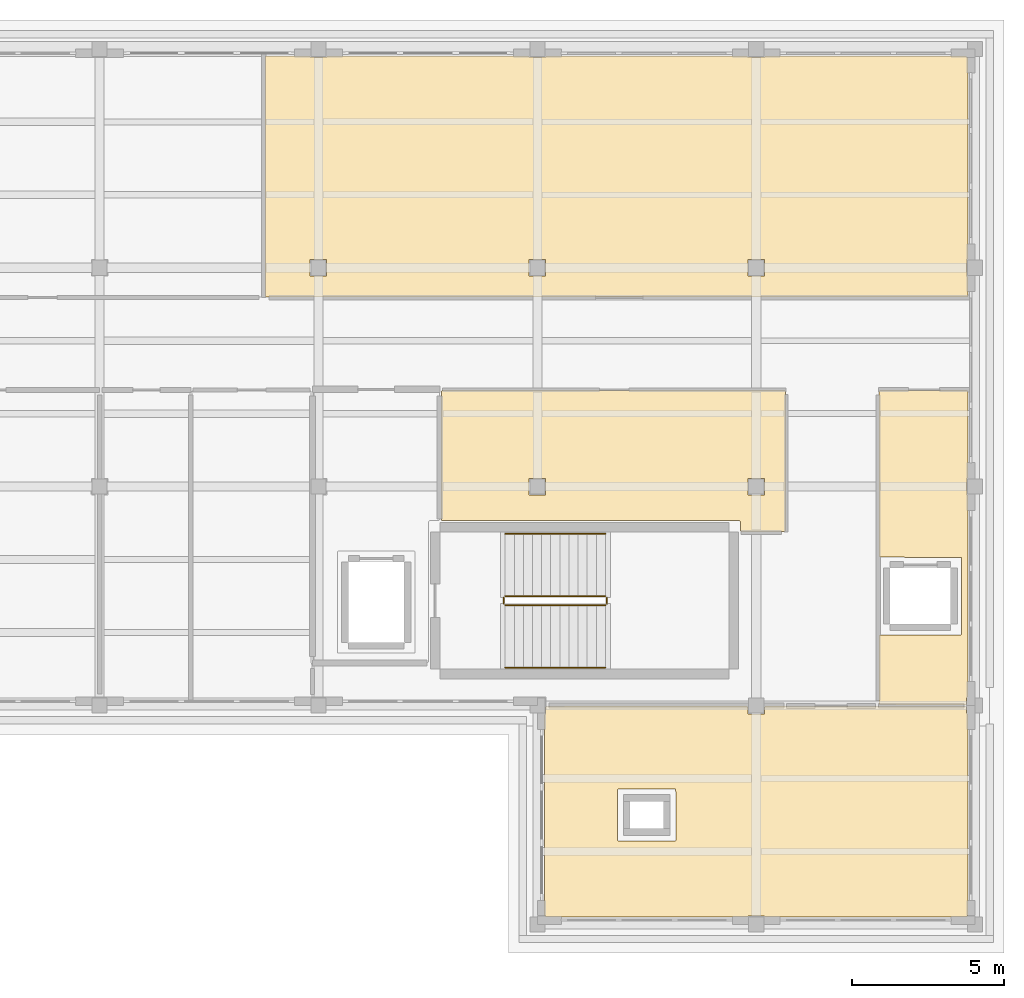
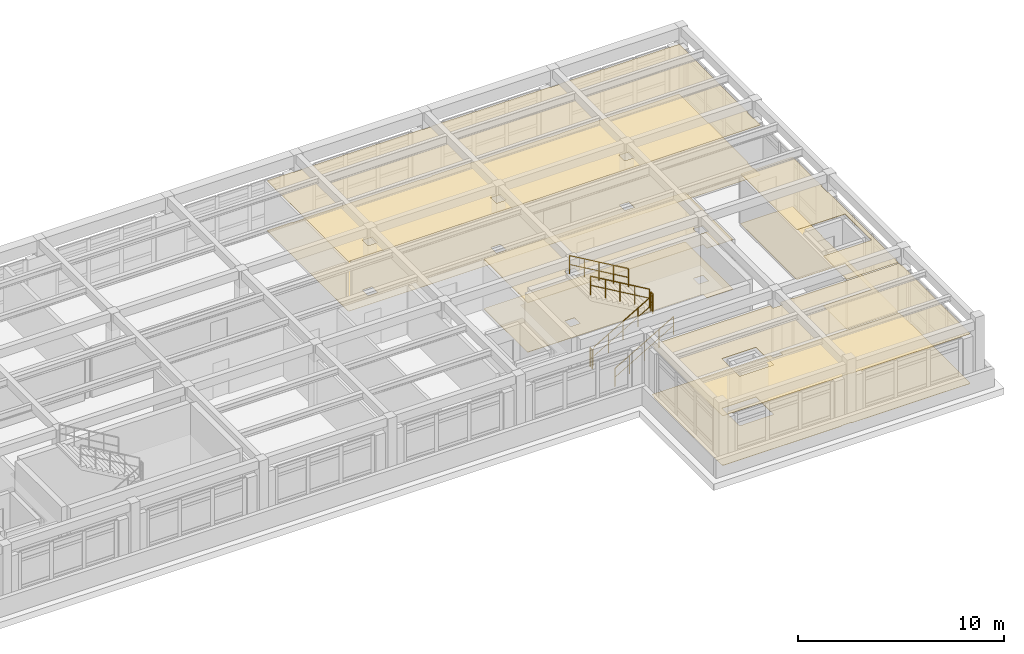
# One storey, part 18 of 18: 8 coverings, 6 railings.
"""IFC4 building model written with IfcOpenShell, lengths in metres."""

from ifc_helpers import new_model, si_unit, direction, frame, origin, origin_2d, place, context, subcontext, project, spatial, polyline, circle, outline, extrude, material, layer, layer_set, type_object, element, save


model = new_model("IFC4")

# Units and contexts
model_context = context("Model", 3, precision=1e-05, world=origin(), true_north=direction((0.0, 1.0)))
body_context = subcontext(model_context, "Body", "Model", "MODEL_VIEW")
ifc_project = project(units=[si_unit("LENGTHUNIT", "METRE"), si_unit("AREAUNIT", "SQUARE_METRE"), si_unit("VOLUMEUNIT", "CUBIC_METRE"), si_unit("PLANEANGLEUNIT", "RADIAN"), si_unit("MASSUNIT", "GRAM", prefix="KILO")], contexts=[model_context])

# Site, building, storey
site_placement = place(None, origin())
site = spatial("IfcSite", under=ifc_project, at=site_placement, CompositionType="ELEMENT")
building_placement = place(site_placement, origin())
building = spatial("IfcBuilding", under=site, at=building_placement, Name="Solenvale Faculty of Natural Sciences", CompositionType="ELEMENT")
storey_placement = place(building_placement, frame((0.0, 0.0, 43.800048828125)))
storey = spatial("IfcBuildingStorey", under=building, at=storey_placement, Name="L10", CompositionType="ELEMENT", Elevation=43.800048828125)

# Coverings
ifc_material_1 = material(Name="Acoustic mineral-timber ceiling", Category="wood")
ifc_layer_1 = layer(ifc_material_1, 0.02490234375)
ifc_layer_set_1 = layer_set([ifc_layer_1], Name="Acoustic mineral-timber ceiling")
covering_type_1 = type_object("IfcCoveringType", Name="COV-CEIL-AC25", PredefinedType="CEILING", material=ifc_layer_set_1)
covering_1_placement = place(storey_placement, frame((0.0, 0.0, 2.93505859375)))
element("IfcCovering", 1, at=covering_1_placement, inside=storey, type_object=covering_type_1, Name="L10 Preparative Organic Chemistry Laboratory Acoustic Ceiling", PredefinedType="CEILING", context=body_context, shape_type="SweptSolid", body=[
    extrude(outline(polyline([(129.294921875, 114.9599609375), (129.3359375, 114.925048828125), (129.865966796875, 114.925048828125), (129.905029296875, 114.9599609375), (136.4951171875, 114.9599609375), (136.535888671875, 114.925048828125), (137.06591796875, 114.925048828125), (137.10498046875, 114.9599609375), (143.695068359375, 114.9599609375), (143.736083984375, 114.925048828125), (144.26611328125, 114.925048828125), (144.304931640625, 114.9599609375), (150.904052734375, 114.958984375), (150.9599609375, 114.89501953125), (150.9599609375, 108.304931640625), (150.925048828125, 108.263916015625), (150.925048828125, 107.73388671875), (150.9599609375, 107.695068359375), (150.9580078125, 107.05908203125), (150.929931640625, 107.0400390625), (127.85888671875, 107.0419921875), (127.840087890625, 107.070068359375), (127.841064453125, 114.93603515625), (127.8701171875, 114.9599609375), (129.294921875, 114.9599609375)]), holes=[polyline([(143.72509765625, 107.736083984375), (143.736083984375, 107.72509765625), (144.27197265625, 107.72802734375), (144.27197265625, 108.27197265625), (143.72802734375, 108.27197265625), (143.72509765625, 107.736083984375)]), polyline([(137.06396484375, 107.72509765625), (137.074951171875, 107.736083984375), (137.072021484375, 108.27197265625), (136.528076171875, 108.27197265625), (136.528076171875, 107.72802734375), (137.06396484375, 107.72509765625)]), polyline([(129.324951171875, 107.736083984375), (129.3359375, 107.72509765625), (129.8720703125, 107.72802734375), (129.8720703125, 108.27197265625), (129.327880859375, 108.27197265625), (129.324951171875, 107.736083984375)])]), origin(), (0.0, 0.0, 1.0), 0.02490234375),
])
covering_2_placement = place(storey_placement, frame((0.0, 0.0, 2.93505859375)))
element("IfcCovering", 2, at=covering_2_placement, inside=storey, type_object=covering_type_1, Name="L10 Building Electrical and Telecom Closet Acoustic Ceiling", PredefinedType="CEILING", context=body_context, shape_type="SweptSolid", body=[
    extrude(outline(polyline([(144.929931640625, 103.9599609375), (144.950927734375, 103.950927734375), (144.9599609375, 103.929931640625), (144.9599609375, 99.35009765625), (144.94091796875, 99.322021484375), (143.50390625, 99.321044921875), (143.47998046875, 99.346923828125), (143.47998046875, 99.654052734375), (143.450927734375, 99.679931640625), (133.669921875, 99.679931640625), (133.64208984375, 99.698974609375), (133.639892578125, 103.929931640625), (133.658935546875, 103.9580078125), (144.929931640625, 103.9599609375)]), holes=[polyline([(144.263916015625, 100.52490234375), (144.27490234375, 100.535888671875), (144.27197265625, 101.072021484375), (143.72802734375, 101.072021484375), (143.72802734375, 100.528076171875), (144.263916015625, 100.52490234375)]), polyline([(137.06396484375, 100.52490234375), (137.074951171875, 100.535888671875), (137.072021484375, 101.072021484375), (136.528076171875, 101.072021484375), (136.528076171875, 100.528076171875), (137.06396484375, 100.52490234375)])]), origin(), (0.0, 0.0, 1.0), 0.02490234375),
])
covering_3_placement = place(storey_placement, frame((0.0, 0.0, 2.93505859375)))
element("IfcCovering", 3, at=covering_3_placement, inside=storey, type_object=covering_type_1, Name="L10 Elevator Lobby Acoustic Ceiling", PredefinedType="CEILING", context=body_context, shape_type="SweptSolid", body=[
    extrude(outline(polyline([(148.0400390625, 95.889892578125), (148.049072265625, 95.910888671875), (148.070068359375, 95.919921875), (150.72509765625, 95.919921875), (150.7470703125, 95.929931640625), (150.7548828125, 95.949951171875), (150.7548828125, 98.449951171875), (150.7451171875, 98.471923828125), (148.070068359375, 98.47998046875), (148.041015625, 98.5009765625), (148.0419921875, 103.94091796875), (148.070068359375, 103.9599609375), (150.94091796875, 103.9580078125), (150.9599609375, 103.929931640625), (150.9599609375, 101.10498046875), (150.925048828125, 101.06591796875), (150.925048828125, 100.535888671875), (150.9599609375, 100.4951171875), (150.9599609375, 93.905029296875), (150.925048828125, 93.866943359375), (150.91796875, 93.631103515625), (150.89501953125, 93.6201171875), (148.051025390625, 93.626953125), (148.0400390625, 93.64990234375), (148.0400390625, 95.889892578125)])), origin(), (0.0, 0.0, 1.0), 0.02490234375),
])
covering_4_placement = place(storey_placement, frame((0.0, 0.0, 2.93505859375)))
element("IfcCovering", 4, at=covering_4_placement, inside=storey, type_object=covering_type_1, Name="L10 Seminar Room Acoustic Ceiling", PredefinedType="CEILING", context=body_context, shape_type="SweptSolid", body=[
    extrude(outline(polyline([(137.10498046875, 86.639892578125), (137.048095703125, 86.68408203125), (137.0400390625, 86.705078125), (137.0400390625, 93.294921875), (137.074951171875, 93.3330078125), (137.074951171875, 93.552978515625), (137.091064453125, 93.575927734375), (143.695068359375, 93.580078125), (143.72412109375, 93.555908203125), (143.72509765625, 93.3359375), (143.736083984375, 93.324951171875), (144.26904296875, 93.325927734375), (144.27490234375, 93.552978515625), (144.304931640625, 93.580078125), (144.950927734375, 93.580078125), (145.0, 93.56005859375), (150.89501953125, 93.56005859375), (150.9208984375, 93.5439453125), (150.925048828125, 93.3330078125), (150.9599609375, 93.294921875), (150.9599609375, 86.705078125), (150.909912109375, 86.64404296875), (144.304931640625, 86.639892578125), (144.26611328125, 86.675048828125), (143.736083984375, 86.675048828125), (143.695068359375, 86.639892578125), (137.10498046875, 86.639892578125)]), holes=[polyline([(139.43994140625, 89.16796875), (139.449951171875, 89.14794921875), (139.469970703125, 89.139892578125), (141.35009765625, 89.14794921875), (141.360107421875, 89.169921875), (141.35205078125, 90.85009765625), (141.330078125, 90.860107421875), (139.449951171875, 90.85205078125), (139.43994140625, 90.830078125), (139.43994140625, 89.16796875)])]), origin(), (0.0, 0.0, 1.0), 0.02490234375),
])
ifc_material_2 = material(Name="Polished slate terrazzo flooring", Category="masonry")
ifc_layer_2 = layer(ifc_material_2, 0.01806640625)
ifc_layer_set_2 = layer_set([ifc_layer_2], Name="Polished slate terrazzo flooring")
covering_type_2 = type_object("IfcCoveringType", Name="COV-FLR-TRZ18", PredefinedType="FLOORING", material=ifc_layer_set_2)
covering_5_placement = place(storey_placement, origin())
element("IfcCovering", 5, at=covering_5_placement, inside=storey, type_object=covering_type_2, Name="L10 Building Electrical and Telecom Closet Floor Finish", PredefinedType="FLOORING", context=body_context, shape_type="SweptSolid", body=[
    extrude(outline(polyline([(144.929931640625, 103.9599609375), (144.950927734375, 103.950927734375), (144.9599609375, 103.929931640625), (144.9599609375, 99.35009765625), (144.94091796875, 99.322021484375), (143.50390625, 99.321044921875), (143.47998046875, 99.346923828125), (143.47998046875, 99.654052734375), (143.450927734375, 99.679931640625), (133.669921875, 99.679931640625), (133.64208984375, 99.698974609375), (133.639892578125, 103.929931640625), (133.658935546875, 103.9580078125), (144.929931640625, 103.9599609375)]), holes=[polyline([(144.263916015625, 100.52490234375), (144.27490234375, 100.535888671875), (144.27197265625, 101.072021484375), (143.72802734375, 101.072021484375), (143.72802734375, 100.528076171875), (144.263916015625, 100.52490234375)]), polyline([(137.06396484375, 100.52490234375), (137.074951171875, 100.535888671875), (137.072021484375, 101.072021484375), (136.528076171875, 101.072021484375), (136.528076171875, 100.528076171875), (137.06396484375, 100.52490234375)])]), origin(), (0.0, 0.0, 1.0), 0.01806640625),
])
covering_6_placement = place(storey_placement, origin())
element("IfcCovering", 6, at=covering_6_placement, inside=storey, type_object=covering_type_2, Name="L10 Elevator Lobby Floor Finish", PredefinedType="FLOORING", context=body_context, shape_type="SweptSolid", body=[
    extrude(outline(polyline([(148.0400390625, 95.889892578125), (148.049072265625, 95.910888671875), (148.070068359375, 95.919921875), (150.72509765625, 95.919921875), (150.7470703125, 95.929931640625), (150.7548828125, 95.949951171875), (150.7548828125, 98.449951171875), (150.7451171875, 98.471923828125), (148.070068359375, 98.47998046875), (148.041015625, 98.5009765625), (148.0419921875, 103.94091796875), (148.070068359375, 103.9599609375), (150.94091796875, 103.9580078125), (150.9599609375, 103.929931640625), (150.9599609375, 101.10498046875), (150.925048828125, 101.06591796875), (150.925048828125, 100.535888671875), (150.9599609375, 100.4951171875), (150.9599609375, 93.905029296875), (150.925048828125, 93.866943359375), (150.91796875, 93.631103515625), (150.89501953125, 93.6201171875), (148.051025390625, 93.626953125), (148.0400390625, 93.64990234375), (148.0400390625, 95.889892578125)])), origin(), (0.0, 0.0, 1.0), 0.01806640625),
])
covering_7_placement = place(storey_placement, origin())
element("IfcCovering", 7, at=covering_7_placement, inside=storey, type_object=covering_type_2, Name="L10 Seminar Room Floor Finish", PredefinedType="FLOORING", context=body_context, shape_type="SweptSolid", body=[
    extrude(outline(polyline([(137.10498046875, 86.639892578125), (137.048095703125, 86.68408203125), (137.0400390625, 86.705078125), (137.0400390625, 93.294921875), (137.074951171875, 93.3330078125), (137.074951171875, 93.552978515625), (137.091064453125, 93.575927734375), (143.695068359375, 93.580078125), (143.72412109375, 93.555908203125), (143.72509765625, 93.3359375), (143.736083984375, 93.324951171875), (144.26904296875, 93.325927734375), (144.27490234375, 93.552978515625), (144.304931640625, 93.580078125), (144.950927734375, 93.580078125), (145.0, 93.56005859375), (150.89501953125, 93.56005859375), (150.9208984375, 93.5439453125), (150.925048828125, 93.3330078125), (150.9599609375, 93.294921875), (150.9599609375, 86.705078125), (150.909912109375, 86.64404296875), (144.304931640625, 86.639892578125), (144.26611328125, 86.675048828125), (143.736083984375, 86.675048828125), (143.695068359375, 86.639892578125), (137.10498046875, 86.639892578125)]), holes=[polyline([(139.43994140625, 89.16796875), (139.449951171875, 89.14794921875), (139.469970703125, 89.139892578125), (141.35009765625, 89.14794921875), (141.360107421875, 89.169921875), (141.35205078125, 90.85009765625), (141.330078125, 90.860107421875), (139.449951171875, 90.85205078125), (139.43994140625, 90.830078125), (139.43994140625, 89.16796875)])]), origin(), (0.0, 0.0, 1.0), 0.01806640625),
])
ifc_material_3 = material(Name="Seamless laboratory vinyl flooring")
ifc_layer_3 = layer(ifc_material_3, 0.008056640625)
ifc_layer_set_3 = layer_set([ifc_layer_3], Name="Seamless laboratory vinyl flooring")
covering_type_3 = type_object("IfcCoveringType", Name="COV-FLR-VNL08", PredefinedType="FLOORING", material=ifc_layer_set_3)
covering_8_placement = place(storey_placement, origin())
element("IfcCovering", 8, at=covering_8_placement, inside=storey, type_object=covering_type_3, Name="L10 Preparative Organic Chemistry Laboratory Floor Finish", PredefinedType="FLOORING", context=body_context, shape_type="SweptSolid", body=[
    extrude(outline(polyline([(129.294921875, 114.9599609375), (129.3359375, 114.925048828125), (129.865966796875, 114.925048828125), (129.905029296875, 114.9599609375), (136.4951171875, 114.9599609375), (136.535888671875, 114.925048828125), (137.06591796875, 114.925048828125), (137.10498046875, 114.9599609375), (143.695068359375, 114.9599609375), (143.736083984375, 114.925048828125), (144.26611328125, 114.925048828125), (144.304931640625, 114.9599609375), (150.904052734375, 114.958984375), (150.9599609375, 114.89501953125), (150.9599609375, 108.304931640625), (150.925048828125, 108.263916015625), (150.925048828125, 107.73388671875), (150.9599609375, 107.695068359375), (150.9580078125, 107.05908203125), (150.929931640625, 107.0400390625), (127.85888671875, 107.0419921875), (127.840087890625, 107.070068359375), (127.841064453125, 114.93603515625), (127.8701171875, 114.9599609375), (129.294921875, 114.9599609375)]), holes=[polyline([(143.72509765625, 107.736083984375), (143.736083984375, 107.72509765625), (144.27197265625, 107.72802734375), (144.27197265625, 108.27197265625), (143.72802734375, 108.27197265625), (143.72509765625, 107.736083984375)]), polyline([(137.06396484375, 107.72509765625), (137.074951171875, 107.736083984375), (137.072021484375, 108.27197265625), (136.528076171875, 108.27197265625), (136.528076171875, 107.72802734375), (137.06396484375, 107.72509765625)]), polyline([(129.324951171875, 107.736083984375), (129.3359375, 107.72509765625), (129.8720703125, 107.72802734375), (129.8720703125, 108.27197265625), (129.327880859375, 108.27197265625), (129.324951171875, 107.736083984375)])]), origin(), (0.0, 0.0, 1.0), 0.008056640625),
])

# Railings
ifc_material_4 = material(Name="Stainless steel Grade 304", Category="steel")
railing_type_1 = type_object("IfcRailingType", Name="RL-GRD-1100", PredefinedType="GUARDRAIL", material=ifc_material_4)
railing_1_placement = place(storey_placement, frame((135.739990234375, 96.89990234375, 0.175048828125)))
element("IfcRailing", 9, at=railing_1_placement, inside=storey, type_object=railing_type_1, Name="L10 ST-05 stair guard 1", PredefinedType="GUARDRAIL", context=body_context, shape_type="SweptSolid", body=[
    extrude(circle(Radius=0.02392578125, at=origin_2d()), frame((0.0, 0.0, 1.09619140625), z_axis=(0.863804395585, 0.0, 0.503827317807), x_axis=(0.0, 1.0, 0.0)), (0.0, 0.0, 1.0), 3.8203125),
    extrude(circle(Radius=0.01611328125, at=origin_2d()), frame((0.0, 0.0, 0.56005859375), z_axis=(0.863804395585, 0.0, 0.503827317807), x_axis=(0.0, 1.0, 0.0)), (0.0, 0.0, 1.0), 3.8203125),
    extrude(circle(Radius=0.02099609375, at=origin_2d()), origin(), (0.0, 0.0, 1.0), 1.072021484375),
    extrude(circle(Radius=0.02099609375, at=origin_2d()), frame((0.824951171875, 0.0, 0.481201171875)), (0.0, 0.0, 1.0), 1.072021484375),
    extrude(circle(Radius=0.02099609375, at=origin_2d()), frame((1.64990234375, 0.0, 0.96240234375)), (0.0, 0.0, 1.0), 1.072021484375),
    extrude(circle(Radius=0.02099609375, at=origin_2d()), frame((2.47509765625, 0.0, 1.443603515625)), (0.0, 0.0, 1.0), 1.072021484375),
    extrude(circle(Radius=0.02099609375, at=origin_2d()), frame((3.300048828125, 0.0, 1.9248046875)), (0.0, 0.0, 1.0), 1.072021484375),
])
railing_2_placement = place(storey_placement, frame((139.090087890625, 96.949951171875, 2.099853515625)))
element("IfcRailing", 10, at=railing_2_placement, inside=storey, type_object=railing_type_1, Name="L10 ST-05 stair guard 2", PredefinedType="GUARDRAIL", context=body_context, shape_type="SweptSolid", body=[
    extrude(circle(Radius=0.02392578125, at=origin_2d()), frame((0.0, 0.0, 1.09619140625), z_axis=(0.0, 1.0, 0.0), x_axis=(-1.0, 0.0, 0.0)), (0.0, 0.0, 1.0), 0.199951171875),
    extrude(circle(Radius=0.01611328125, at=origin_2d()), frame((0.0, 0.0, 0.56005859375), z_axis=(0.0, 1.0, 0.0), x_axis=(-1.0, 0.0, 0.0)), (0.0, 0.0, 1.0), 0.199951171875),
    extrude(circle(Radius=0.02099609375, at=origin_2d()), origin(), (0.0, 0.0, 1.0), 1.072021484375),
    extrude(circle(Radius=0.02099609375, at=origin_2d()), frame((0.0, 0.199951171875, 0.0)), (0.0, 0.0, 1.0), 1.072021484375),
])
railing_3_placement = place(storey_placement, frame((139.0400390625, 97.199951171875, 2.27490234375)))
element("IfcRailing", 11, at=railing_3_placement, inside=storey, type_object=railing_type_1, Name="L10 ST-05 stair guard 3", PredefinedType="GUARDRAIL", context=body_context, shape_type="SweptSolid", body=[
    extrude(circle(Radius=0.02392578125, at=origin_2d()), frame((0.0, 0.0, 1.09619140625), z_axis=(-0.863776583165, 0.0, 0.503874998761), x_axis=(0.0, -1.0, 0.0)), (0.0, 0.0, 1.0), 3.820556640625),
    extrude(circle(Radius=0.01611328125, at=origin_2d()), frame((0.0, 0.0, 0.56005859375), z_axis=(-0.863776583165, 0.0, 0.503874998761), x_axis=(0.0, -1.0, 0.0)), (0.0, 0.0, 1.0), 3.820556640625),
    extrude(circle(Radius=0.02099609375, at=origin_2d()), origin(), (0.0, 0.0, 1.0), 1.072021484375),
    extrude(circle(Radius=0.02099609375, at=origin_2d()), frame((-0.824951171875, 0.0, 0.481201171875)), (0.0, 0.0, 1.0), 1.072021484375),
    extrude(circle(Radius=0.02099609375, at=origin_2d()), frame((-1.64990234375, 0.0, 0.96240234375)), (0.0, 0.0, 1.0), 1.072021484375),
    extrude(circle(Radius=0.02099609375, at=origin_2d()), frame((-2.47509765625, 0.0, 1.44384765625)), (0.0, 0.0, 1.0), 1.072021484375),
    extrude(circle(Radius=0.02099609375, at=origin_2d()), frame((-3.300048828125, 0.0, 1.925048828125)), (0.0, 0.0, 1.0), 1.072021484375),
])
railing_4_placement = place(storey_placement, frame((135.68994140625, 96.949951171875, 0.0)))
element("IfcRailing", 12, at=railing_4_placement, inside=storey, type_object=railing_type_1, Name="L10 ST-05 stair guard 4", PredefinedType="GUARDRAIL", context=body_context, shape_type="SweptSolid", body=[
    extrude(circle(Radius=0.02392578125, at=origin_2d()), frame((0.0, 0.0, 1.09619140625), z_axis=(0.0, 1.0, 0.0), x_axis=(-1.0, 0.0, 0.0)), (0.0, 0.0, 1.0), 0.199951171875),
    extrude(circle(Radius=0.01611328125, at=origin_2d()), frame((0.0, 0.0, 0.56005859375), z_axis=(0.0, 1.0, 0.0), x_axis=(-1.0, 0.0, 0.0)), (0.0, 0.0, 1.0), 0.199951171875),
    extrude(circle(Radius=0.02099609375, at=origin_2d()), origin(), (0.0, 0.0, 1.0), 1.072021484375),
    extrude(circle(Radius=0.02099609375, at=origin_2d()), frame((0.0, 0.199951171875, 0.0)), (0.0, 0.0, 1.0), 1.072021484375),
])
railing_type_2 = type_object("IfcRailingType", Name="RL-HND-900", PredefinedType="HANDRAIL", material=ifc_material_4)
railing_5_placement = place(storey_placement, frame((135.739990234375, 94.85009765625, 0.175048828125)))
element("IfcRailing", 13, at=railing_5_placement, inside=storey, type_object=railing_type_2, Name="L10 ST-05 stair handrail 1", PredefinedType="HANDRAIL", context=body_context, shape_type="SweptSolid", body=[
    extrude(circle(Radius=0.02392578125, at=origin_2d()), frame((0.0, 0.0, 1.0751953125), z_axis=(0.863804395585, 0.0, 0.503827317807), x_axis=(0.0, 1.0, 0.0)), (0.0, 0.0, 1.0), 3.8203125),
    extrude(circle(Radius=0.01611328125, at=origin_2d()), frame((0.0, 0.0, 0.549560546875), z_axis=(0.863804395585, 0.0, 0.503827317807), x_axis=(0.0, 1.0, 0.0)), (0.0, 0.0, 1.0), 3.8203125),
    extrude(circle(Radius=0.02099609375, at=origin_2d()), origin(), (0.0, 0.0, 1.0), 1.051025390625),
    extrude(circle(Radius=0.02099609375, at=origin_2d()), frame((0.824951171875, 0.0, 0.481201171875)), (0.0, 0.0, 1.0), 1.051025390625),
    extrude(circle(Radius=0.02099609375, at=origin_2d()), frame((1.64990234375, 0.0, 0.96240234375)), (0.0, 0.0, 1.0), 1.051025390625),
    extrude(circle(Radius=0.02099609375, at=origin_2d()), frame((2.47509765625, 0.0, 1.443603515625)), (0.0, 0.0, 1.0), 1.051025390625),
    extrude(circle(Radius=0.02099609375, at=origin_2d()), frame((3.300048828125, 0.0, 1.9248046875)), (0.0, 0.0, 1.0), 1.051025390625),
])
railing_6_placement = place(storey_placement, frame((139.0400390625, 99.25, 2.27490234375)))
element("IfcRailing", 14, at=railing_6_placement, inside=storey, type_object=railing_type_2, Name="L10 ST-05 stair handrail 2", PredefinedType="HANDRAIL", context=body_context, shape_type="SweptSolid", body=[
    extrude(circle(Radius=0.02392578125, at=origin_2d()), frame((0.0, 0.0, 1.0751953125), z_axis=(-0.863776583165, 0.0, 0.503874998761), x_axis=(0.0, -1.0, 0.0)), (0.0, 0.0, 1.0), 3.820556640625),
    extrude(circle(Radius=0.01611328125, at=origin_2d()), frame((0.0, 0.0, 0.549560546875), z_axis=(-0.863776583165, 0.0, 0.503874998761), x_axis=(0.0, -1.0, 0.0)), (0.0, 0.0, 1.0), 3.820556640625),
    extrude(circle(Radius=0.02099609375, at=origin_2d()), origin(), (0.0, 0.0, 1.0), 1.051025390625),
    extrude(circle(Radius=0.02099609375, at=origin_2d()), frame((-0.824951171875, 0.0, 0.481201171875)), (0.0, 0.0, 1.0), 1.051025390625),
    extrude(circle(Radius=0.02099609375, at=origin_2d()), frame((-1.64990234375, 0.0, 0.96240234375)), (0.0, 0.0, 1.0), 1.051025390625),
    extrude(circle(Radius=0.02099609375, at=origin_2d()), frame((-2.47509765625, 0.0, 1.44384765625)), (0.0, 0.0, 1.0), 1.051025390625),
    extrude(circle(Radius=0.02099609375, at=origin_2d()), frame((-3.300048828125, 0.0, 1.925048828125)), (0.0, 0.0, 1.0), 1.051025390625),
])

save(model, "model.ifc")
